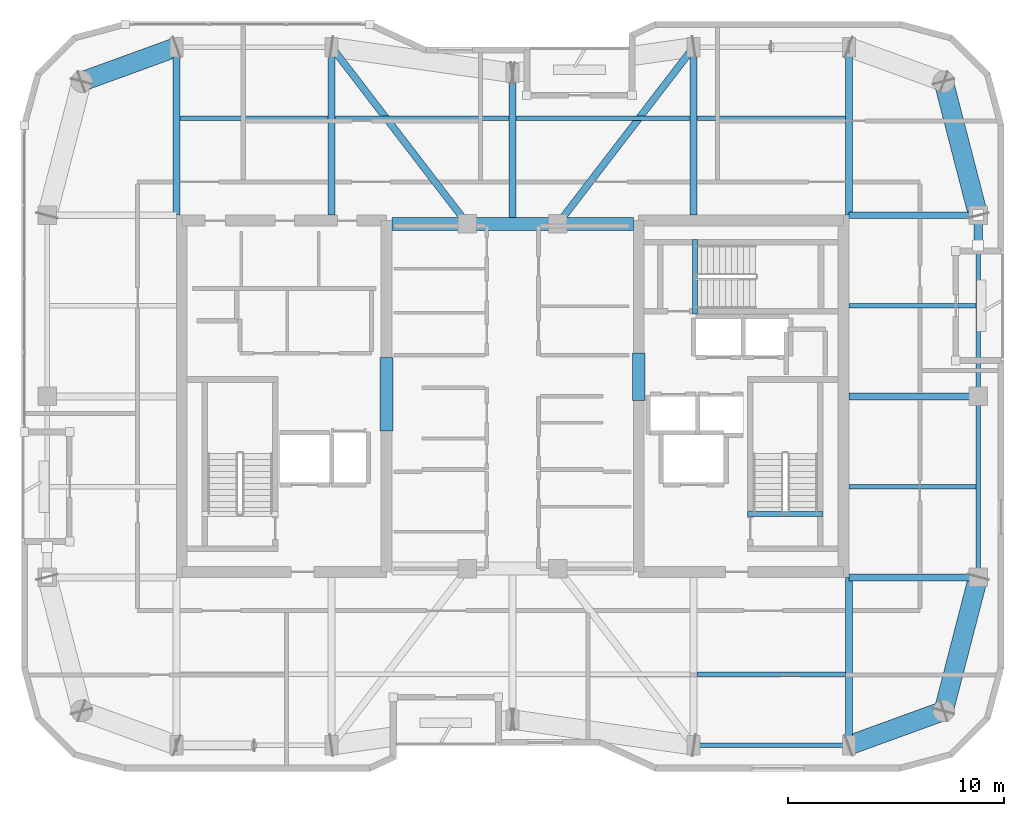
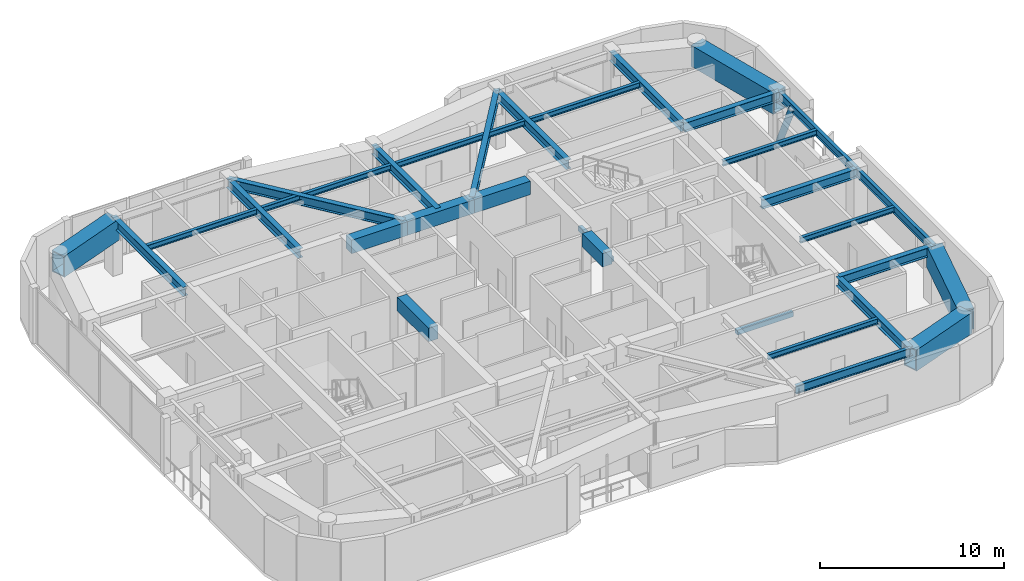
# One storey, part 5 of 16: 32 beams, 1 member.
"""IFC4 building model written with IfcOpenShell, lengths in metres."""

from ifc_helpers import new_model, si_unit, direction, frame, origin, origin_2d, place, context, subcontext, project, spatial, rectangle, hollow_rectangle, hollow_circle, i_section, extrude, material, material_profile, profile_set, type_object, element, save


model = new_model("IFC4")

# Units and contexts
model_context = context("Model", 3, precision=1e-05, world=origin(), true_north=direction((0.0, 1.0)))
body_context = subcontext(model_context, "Body", "Model", "MODEL_VIEW")
ifc_project = project(units=[si_unit("LENGTHUNIT", "METRE"), si_unit("AREAUNIT", "SQUARE_METRE"), si_unit("VOLUMEUNIT", "CUBIC_METRE"), si_unit("PLANEANGLEUNIT", "RADIAN"), si_unit("MASSUNIT", "GRAM", prefix="KILO")], contexts=[model_context])

# Site, building, storey
site_placement = place(None, origin())
site = spatial("IfcSite", under=ifc_project, at=site_placement, CompositionType="ELEMENT")
building_placement = place(site_placement, origin())
building = spatial("IfcBuilding", under=site, at=building_placement, Name="Kiyonajd Concourse Tower", CompositionType="ELEMENT")
storey_placement = place(building_placement, frame((0.0, 0.0, 329.699951171875)))
storey = spatial("IfcBuildingStorey", under=building, at=storey_placement, Name="L83", CompositionType="ELEMENT", Elevation=329.699951171875)

# Beams
ifc_material_1 = material(Name="Concrete C60/75", Category="concrete")
ifc_material_profile_1 = material_profile(ifc_material_1, rectangle(XDim=0.60009765625, YDim=0.89990234375, at=origin_2d()), Name="RCBM-600x900")
ifc_profile_set_1 = profile_set([ifc_material_profile_1], Name="Concrete C60/75")
beam_type_1 = type_object("IfcBeamType", Name="BM-COUP-900", PredefinedType="LINTEL", material=ifc_profile_set_1)
beam_1_placement = place(storey_placement, frame((42.39990234375, 44.0, 3.22998046875), z_axis=(1.0, 0.0, 0.0), x_axis=(0.0, 1.0, 0.0)))
element("IfcBeam", 1, at=beam_1_placement, inside=storey, type_object=beam_type_1, Name="L83 Core Coupling Beam N1", PredefinedType="LINTEL", context=body_context, shape_type="SweptSolid", body=[
    extrude(rectangle(XDim=0.60009765625, YDim=0.89990234375, at=origin_2d()), origin(), (0.0, 0.0, 1.0), 3.5),
])
beam_2_placement = place(storey_placement, frame((45.89990234375, 44.0, 3.22998046875), z_axis=(1.0, 0.0, 0.0), x_axis=(0.0, 1.0, 0.0)))
element("IfcBeam", 2, at=beam_2_placement, inside=storey, type_object=beam_type_1, Name="L83 Core Coupling Beam N2", PredefinedType="LINTEL", context=body_context, shape_type="SweptSolid", body=[
    extrude(rectangle(XDim=0.60009765625, YDim=0.89990234375, at=origin_2d()), origin(), (0.0, 0.0, 1.0), 4.2001953125),
])
beam_3_placement = place(storey_placement, frame((50.10009765625, 44.0, 3.22998046875), z_axis=(1.0, 0.0, 0.0), x_axis=(0.0, 1.0, 0.0)))
element("IfcBeam", 3, at=beam_3_placement, inside=storey, type_object=beam_type_1, Name="L83 Core Coupling Beam N3", PredefinedType="LINTEL", context=body_context, shape_type="SweptSolid", body=[
    extrude(rectangle(XDim=0.60009765625, YDim=0.89990234375, at=origin_2d()), origin(), (0.0, 0.0, 1.0), 3.5),
])
beam_4_placement = place(storey_placement, frame((42.14990234375, 34.39990234375, 3.22998046875), z_axis=(0.0, 1.0, 0.0), x_axis=(-1.0, 0.0, 0.0)))
element("IfcBeam", 4, at=beam_4_placement, inside=storey, type_object=beam_type_1, Name="L83 West Core Throat Coupling Lintel", PredefinedType="LINTEL", context=body_context, shape_type="SweptSolid", body=[
    extrude(rectangle(XDim=0.60009765625, YDim=0.89990234375, at=origin_2d()), origin(), (0.0, 0.0, 1.0), 3.400146484375),
])
beam_5_placement = place(storey_placement, frame((53.85009765625, 35.800048828125, 3.22998046875), z_axis=(0.0, 1.0, 0.0), x_axis=(-1.0, 0.0, 0.0)))
element("IfcBeam", 5, at=beam_5_placement, inside=storey, type_object=beam_type_1, Name="L83 East Core Throat Coupling Lintel", PredefinedType="LINTEL", context=body_context, shape_type="SweptSolid", body=[
    extrude(rectangle(XDim=0.60009765625, YDim=0.89990234375, at=origin_2d()), origin(), (0.0, 0.0, 1.0), 2.199951171875),
])
ifc_material_2 = material(Name="Steel ASTM A992 Grade 50", Category="steel")
ifc_material_profile_2 = material_profile(ifc_material_2, i_section(OverallWidth=0.205078125, OverallDepth=0.35400390625, WebThickness=0.009521484375, FlangeThickness=0.016845703125, at=origin_2d()), Name="W360X79")
ifc_profile_set_2 = profile_set([ifc_material_profile_2], Name="Steel ASTM A992 Grade 50")
beam_type_2 = type_object("IfcBeamType", Name="BM-JST-360", PredefinedType="JOIST", material=ifc_profile_set_2)
for number, where, z_axis, x_axis, name in (
    (6, (56.56201171875, 23.10009765625, 3.5029296875), (1.0, 0.0, 0.0), (0.0, 1.0, 0.0), "L83 Secondary Floor Joist"),
    (7, (32.56201171875, 48.89990234375, 3.5029296875), (1.0, 0.0, 0.0), (0.0, 1.0, 0.0), "L83 Secondary Floor Joist"),
):
    element("IfcBeam", number, at=place(storey_placement, frame(where, z_axis=z_axis, x_axis=x_axis)), inside=storey, type_object=beam_type_2, Name=name, PredefinedType="JOIST", context=body_context, shape_type="SweptSolid", body=[
        extrude(i_section(OverallWidth=0.205078125, OverallDepth=0.35400390625, WebThickness=0.009521484375, FlangeThickness=0.016845703125, at=origin_2d()), origin(), (0.0, 0.0, 1.0), 6.8759765625),
    ])
for number, where, z_axis, x_axis, name in (
    (8, (39.761962890625, 48.89990234375, 3.5029296875), (1.0, 0.0, 0.0), (0.0, 1.0, 0.0), "L83 Secondary Floor Joist"),
    (9, (48.162109375, 48.89990234375, 3.5029296875), (1.0, 0.0, 0.0), (0.0, 1.0, 0.0), "L83 Secondary Floor Joist"),
):
    element("IfcBeam", number, at=place(storey_placement, frame(where, z_axis=z_axis, x_axis=x_axis)), inside=storey, type_object=beam_type_2, Name=name, PredefinedType="JOIST", context=body_context, shape_type="SweptSolid", body=[
        extrude(i_section(OverallWidth=0.205078125, OverallDepth=0.35400390625, WebThickness=0.009521484375, FlangeThickness=0.016845703125, at=origin_2d()), origin(), (0.0, 0.0, 1.0), 8.075927734375),
    ])
beam_6_placement = place(storey_placement, frame((56.56201171875, 48.89990234375, 3.5029296875), z_axis=(1.0, 0.0, 0.0), x_axis=(0.0, 1.0, 0.0)))
element("IfcBeam", 10, at=beam_6_placement, inside=storey, type_object=beam_type_2, Name="L83 Secondary Floor Joist", PredefinedType="JOIST", context=body_context, shape_type="SweptSolid", body=[
    extrude(i_section(OverallWidth=0.205078125, OverallDepth=0.35400390625, WebThickness=0.009521484375, FlangeThickness=0.016845703125, at=origin_2d()), origin(), (0.0, 0.0, 1.0), 6.8759765625),
])
for number, where, z_axis, x_axis, name in (
    (11, (63.60009765625, 31.800048828125, 3.5029296875), (1.0, 0.0, 0.0), (0.0, 1.0, 0.0), "L83 East Secondary Floor Joist"),
    (12, (63.60009765625, 40.199951171875, 3.5029296875), (1.0, 0.0, 0.0), (0.0, 1.0, 0.0), "L83 East Secondary Floor Joist"),
):
    element("IfcBeam", number, at=place(storey_placement, frame(where, z_axis=z_axis, x_axis=x_axis)), inside=storey, type_object=beam_type_2, Name=name, PredefinedType="JOIST", context=body_context, shape_type="SweptSolid", body=[
        extrude(i_section(OverallWidth=0.205078125, OverallDepth=0.35400390625, WebThickness=0.009521484375, FlangeThickness=0.016845703125, at=origin_2d()), origin(), (0.0, 0.0, 1.0), 5.894287109375),
    ])
ifc_material_3 = material(Name="Concrete C50/60", Category="concrete")
ifc_material_profile_3 = material_profile(ifc_material_3, rectangle(XDim=0.239990234375, YDim=0.320068359375, at=origin_2d()), Name="RCBM-240x320")
ifc_profile_set_3 = profile_set([ifc_material_profile_3], Name="Concrete C50/60")
beam_type_3 = type_object("IfcBeamType", Name="BM-LNT-250", PredefinedType="LINTEL", material=ifc_profile_set_3)
beam_7_placement = place(storey_placement, frame((58.889892578125, 30.530029296875, -0.159912109375), z_axis=(1.0, 0.0, 0.0), x_axis=(0.0, 1.0, 0.0)))
element("IfcBeam", 13, at=beam_7_placement, inside=storey, type_object=beam_type_3, Name="L83 Stair ST2 Threshold Support Beam", PredefinedType="LINTEL", context=body_context, shape_type="SweptSolid", body=[
    extrude(rectangle(XDim=0.239990234375, YDim=0.320068359375, at=origin_2d()), origin(), (0.0, 0.0, 1.0), 3.52001953125),
])
beam_8_placement = place(storey_placement, frame((56.4599609375, 39.820068359375, -0.159912109375), z_axis=(0.0, 1.0, 0.0), x_axis=(-1.0, 0.0, 0.0)))
element("IfcBeam", 14, at=beam_8_placement, inside=storey, type_object=beam_type_3, Name="L83 Stair ST3 Threshold Support Beam", PredefinedType="LINTEL", context=body_context, shape_type="SweptSolid", body=[
    extrude(rectangle(XDim=0.239990234375, YDim=0.320068359375, at=origin_2d()), origin(), (0.0, 0.0, 1.0), 3.4599609375),
])
ifc_material_profile_4 = material_profile(ifc_material_2, i_section(OverallWidth=0.2109375, OverallDepth=0.5390625, WebThickness=0.01171875, FlangeThickness=0.018798828125, at=origin_2d()), Name="W530X109")
ifc_profile_set_4 = profile_set([ifc_material_profile_4], Name="Steel ASTM A992 Grade 50")
beam_type_4 = type_object("IfcBeamType", Name="BM-SPAN-530B", PredefinedType="SPANDREL", material=ifc_profile_set_4)
beam_9_placement = place(storey_placement, frame((56.39990234375, 19.800048828125, 3.41064453125), z_axis=(1.0, 0.0, 0.0), x_axis=(0.0, 1.0, 0.0)))
element("IfcBeam", 15, at=beam_9_placement, inside=storey, type_object=beam_type_4, Name="L83 Perimeter Bundled Tube Spandrel", PredefinedType="SPANDREL", context=body_context, shape_type="SweptSolid", body=[
    extrude(i_section(OverallWidth=0.2109375, OverallDepth=0.5390625, WebThickness=0.01171875, FlangeThickness=0.018798828125, at=origin_2d()), origin(), (0.0, 0.0, 1.0), 7.2001953125),
])
for number, where, z_axis, x_axis, name in (
    (16, (69.60009765625, 27.60009765625, 3.41064453125), (0.0, 1.0, 0.0), (-1.0, 0.0, 0.0), "L83 Perimeter Bundled Tube Spandrel"),
    (17, (69.60009765625, 36.0, 3.41064453125), (0.0, 1.0, 0.0), (-1.0, 0.0, 0.0), "L83 Perimeter Bundled Tube Spandrel"),
):
    element("IfcBeam", number, at=place(storey_placement, frame(where, z_axis=z_axis, x_axis=x_axis)), inside=storey, type_object=beam_type_4, Name=name, PredefinedType="SPANDREL", context=body_context, shape_type="SweptSolid", body=[
        extrude(i_section(OverallWidth=0.2109375, OverallDepth=0.5390625, WebThickness=0.01171875, FlangeThickness=0.018798828125, at=origin_2d()), origin(), (0.0, 0.0, 1.0), 8.39990234375),
    ])
ifc_material_profile_5 = material_profile(ifc_material_2, i_section(OverallWidth=0.326904296875, OverallDepth=0.6220703125, WebThickness=0.015380859375, FlangeThickness=0.0244140625, at=origin_2d()), Name="W610X195")
ifc_profile_set_5 = profile_set([ifc_material_profile_5], Name="Steel ASTM A992 Grade 50")
beam_type_5 = type_object("IfcBeamType", Name="BM-TWR-610A", PredefinedType="BEAM", material=ifc_profile_set_5)
for number, where, z_axis, x_axis, name in (
    (18, (39.60009765625, 52.199951171875, 3.369140625), (0.609233709922, -0.792990722956, 0.0), (0.792990722956, 0.609233709922, 0.0), "L83 Core Tie Girder"),
    (19, (50.10009765625, 44.0, 3.369140625), (0.609233709922, 0.792990722956, 0.0), (-0.792990722956, 0.609233709922, 0.0), "L83 Core Tie Girder"),
):
    element("IfcBeam", number, at=place(storey_placement, frame(where, z_axis=z_axis, x_axis=x_axis)), inside=storey, type_object=beam_type_5, Name=name, PredefinedType="BEAM", context=body_context, shape_type="SweptSolid", body=[
        extrude(i_section(OverallWidth=0.326904296875, OverallDepth=0.6220703125, WebThickness=0.015380859375, FlangeThickness=0.0244140625, at=origin_2d()), origin(), (0.0, 0.0, 1.0), 10.340576171875),
    ])
ifc_material_profile_6 = material_profile(ifc_material_2, i_section(OverallWidth=0.323974609375, OverallDepth=0.611083984375, WebThickness=0.0126953125, FlangeThickness=0.01904296875, at=origin_2d()), Name="W610X155")
ifc_profile_set_6 = profile_set([ifc_material_profile_6], Name="Steel ASTM A992 Grade 50")
beam_type_6 = type_object("IfcBeamType", Name="BM-TWR-610B", PredefinedType="BEAM", material=ifc_profile_set_6)
for number, where, z_axis, x_axis, name in (
    (20, (32.39990234375, 44.39990234375, 3.37451171875), (0.0, 1.0, 0.0), (-1.0, 0.0, 0.0), "L83 North Lease Girder"),
    (21, (39.60009765625, 44.39990234375, 3.37451171875), (0.0, 1.0, 0.0), (-1.0, 0.0, 0.0), "L83 North Lease Girder"),
    (22, (56.39990234375, 44.39990234375, 3.37451171875), (0.0, 1.0, 0.0), (-1.0, 0.0, 0.0), "L83 North Lease Girder"),
    (23, (63.60009765625, 19.800048828125, 3.37451171875), (0.0, 1.0, 0.0), (-1.0, 0.0, 0.0), "L83 South Lease Girder"),
    (24, (63.60009765625, 44.39990234375, 3.37451171875), (0.0, 1.0, 0.0), (-1.0, 0.0, 0.0), "L83 North Lease Girder"),
):
    element("IfcBeam", number, at=place(storey_placement, frame(where, z_axis=z_axis, x_axis=x_axis)), inside=storey, type_object=beam_type_6, Name=name, PredefinedType="BEAM", context=body_context, shape_type="SweptSolid", body=[
        extrude(i_section(OverallWidth=0.323974609375, OverallDepth=0.611083984375, WebThickness=0.0126953125, FlangeThickness=0.01904296875, at=origin_2d()), origin(), (0.0, 0.0, 1.0), 7.800048828125),
    ])
beam_10_placement = place(storey_placement, frame((48.0, 44.0, 3.37451171875), z_axis=(0.0, 1.0, 0.0), x_axis=(-1.0, 0.0, 0.0)))
element("IfcBeam", 25, at=beam_10_placement, inside=storey, type_object=beam_type_6, Name="L83 North Ribbon Girder", PredefinedType="BEAM", context=body_context, shape_type="SweptSolid", body=[
    extrude(i_section(OverallWidth=0.323974609375, OverallDepth=0.611083984375, WebThickness=0.0126953125, FlangeThickness=0.01904296875, at=origin_2d()), origin(), (0.0, 0.0, 1.0), 7.0),
])
for number, where, z_axis, x_axis, name in (
    (26, (63.60009765625, 27.60009765625, 3.37451171875), (1.0, 0.0, 0.0), (0.0, 1.0, 0.0), "L83 East Lease Girder"),
    (27, (63.60009765625, 36.0, 3.37451171875), (1.0, 0.0, 0.0), (0.0, 1.0, 0.0), "L83 East Lease Girder"),
    (28, (63.60009765625, 44.39990234375, 3.37451171875), (1.0, 0.0, 0.0), (0.0, 1.0, 0.0), "L83 East Lease Girder"),
):
    element("IfcBeam", number, at=place(storey_placement, frame(where, z_axis=z_axis, x_axis=x_axis)), inside=storey, type_object=beam_type_6, Name=name, PredefinedType="BEAM", context=body_context, shape_type="SweptSolid", body=[
        extrude(i_section(OverallWidth=0.323974609375, OverallDepth=0.611083984375, WebThickness=0.0126953125, FlangeThickness=0.01904296875, at=origin_2d()), origin(), (0.0, 0.0, 1.0), 6.0),
    ])
ifc_material_4 = material(Name="Steel ASTM A572 Grade 50", Category="steel")
ifc_material_profile_7 = material_profile(ifc_material_4, hollow_rectangle(XDim=0.89990234375, YDim=1.39990234375, WallThickness=0.070068359375, at=origin_2d()), Name="BOX-1400x900x70")
ifc_profile_set_7 = profile_set([ifc_material_profile_7], Name="Steel ASTM A572 Grade 50")
beam_type_7 = type_object("IfcBeamType", Name="BM-XFER-1400", PredefinedType="BEAM", material=ifc_profile_set_7)
beam_11_placement = place(storey_placement, frame((63.60009765625, 19.800048828125, 2.97998046875), z_axis=(0.939801036019, 0.341722127901, 0.0), x_axis=(-0.341722127901, 0.939801036019, 0.0)))
element("IfcBeam", 29, at=beam_11_placement, inside=storey, type_object=beam_type_7, Name="L83 Perimeter Bundled Tube Spandrel", PredefinedType="BEAM", context=body_context, shape_type="SweptSolid", body=[
    extrude(hollow_rectangle(XDim=0.89990234375, YDim=1.39990234375, WallThickness=0.070068359375, at=origin_2d()), origin(), (0.0, 0.0, 1.0), 4.681640625),
])
for number, where, z_axis, x_axis, name in (
    (30, (68.0, 21.39990234375, 2.97998046875), (0.249884937687, 0.968275538221, 0.0), (-0.968275538221, 0.249884937687, 0.0), "L83 Perimeter Bundled Tube Spandrel"),
    (31, (69.60009765625, 44.39990234375, 2.97998046875), (-0.249884937687, 0.968275538221, 0.0), (-0.968275538221, -0.249884937687, 0.0), "L83 Perimeter Bundled Tube Spandrel"),
):
    element("IfcBeam", number, at=place(storey_placement, frame(where, z_axis=z_axis, x_axis=x_axis)), inside=storey, type_object=beam_type_7, Name=name, PredefinedType="BEAM", context=body_context, shape_type="SweptSolid", body=[
        extrude(hollow_rectangle(XDim=0.89990234375, YDim=1.39990234375, WallThickness=0.070068359375, at=origin_2d()), origin(), (0.0, 0.0, 1.0), 6.4033203125),
    ])
beam_12_placement = place(storey_placement, frame((32.39990234375, 52.199951171875, 2.97998046875), z_axis=(-0.939801036019, -0.341722127901, 0.0), x_axis=(0.341722127901, -0.939801036019, 0.0)))
element("IfcBeam", 32, at=beam_12_placement, inside=storey, type_object=beam_type_7, Name="L83 Perimeter Bundled Tube Spandrel", PredefinedType="BEAM", context=body_context, shape_type="SweptSolid", body=[
    extrude(hollow_rectangle(XDim=0.89990234375, YDim=1.39990234375, WallThickness=0.070068359375, at=origin_2d()), origin(), (0.0, 0.0, 1.0), 4.681640625),
])

# Member
ifc_material_5 = material(Name="Steel ASTM A500 Grade C", Category="steel")
ifc_material_profile_8 = material_profile(ifc_material_5, hollow_circle(Radius=0.202880859375, WallThickness=0.01904296875, at=origin_2d()), Name="CHS-406x19")
ifc_profile_set_8 = profile_set([ifc_material_profile_8], Name="Steel ASTM A500 Grade C")
member_type = type_object("IfcMemberType", Name="MB-PB-HIGH", PredefinedType="BRACE", material=ifc_profile_set_8)
member_placement = place(storey_placement, frame((69.60009765625, 44.39990234375, 0.300048828125), z_axis=(0.0, -0.419410666774, 0.907796614114), x_axis=(1.0, 0.0, 0.0)))
element("IfcMember", 33, at=member_placement, inside=storey, type_object=member_type, Name="L83 Upper Zone Hollow Tube Brace PBE", PredefinedType="BRACE", context=body_context, shape_type="SweptSolid", body=[
    extrude(hollow_circle(Radius=0.202880859375, WallThickness=0.01904296875, at=origin_2d()), origin(), (0.0, 0.0, 1.0), 3.337890625),
])

save(model, "model.ifc")
